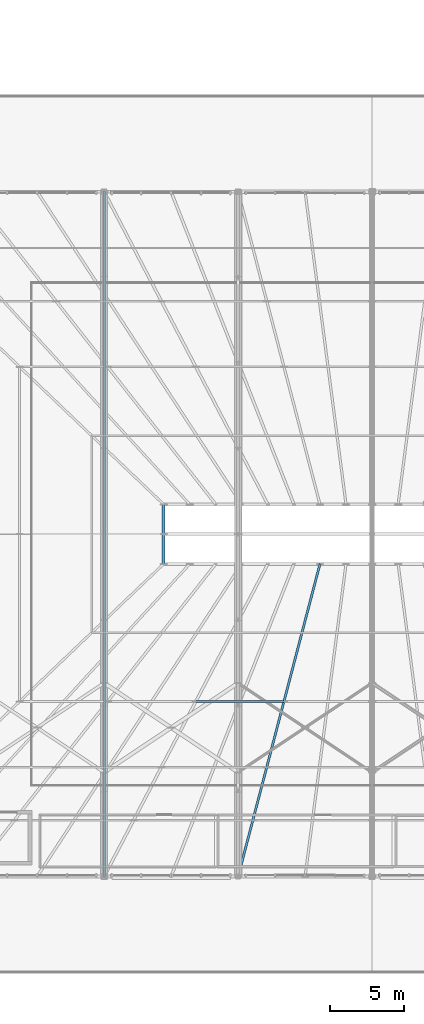
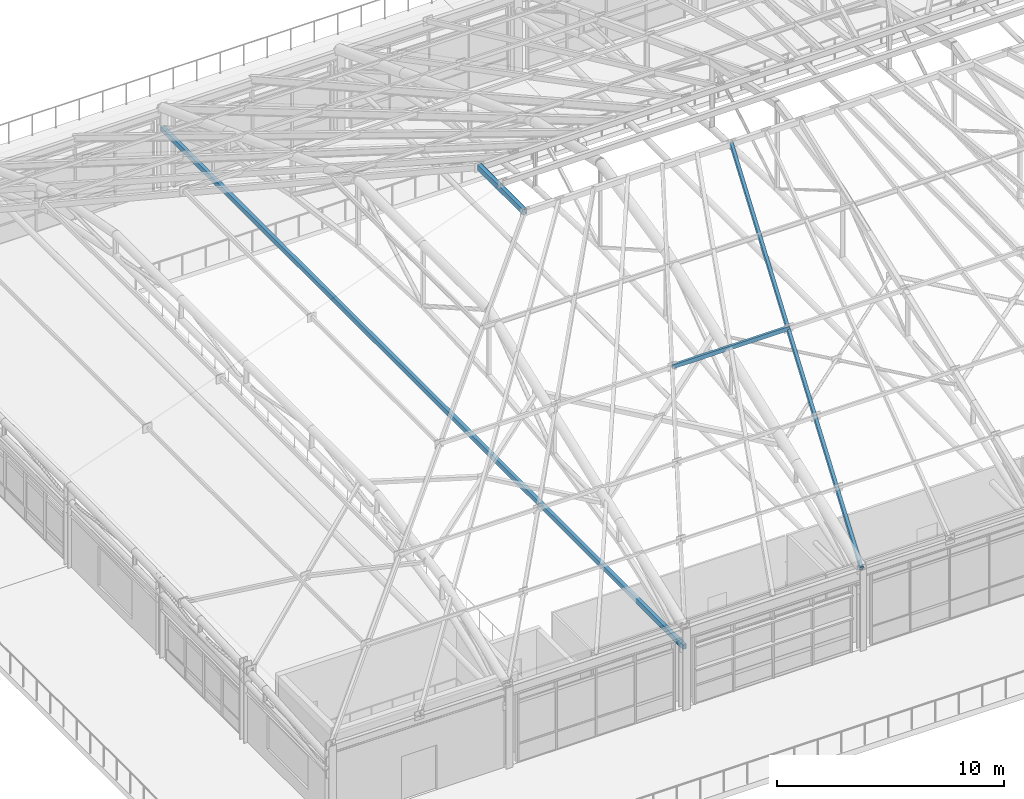
# One storey, part 27 of 168: 3 members, 1 beam.
"""IFC4 building model written with IfcOpenShell, lengths in metres."""

import ifcopenshell
import ifcopenshell.guid

model = None  # the IFC model being written
_history = None  # IfcOwnerHistory: only IFC2X3 demands one
_inside = {}  # id of a spatial element -> (the spatial element, [elements in it])
_under = {}  # id of a project, library or spatial element -> (it, [spatial elements below it])
_declared = {}  # id of a project -> (the project, [libraries it declares])
_typed = {}  # id of a type object -> (the type object, [elements of that type])
_made_of = {}  # id of a material, layer set ... -> (it, [elements and type objects made of it])


def new_model(schema):
    """Start an empty IFC model of exactly this schema.

    Asked for "IFC4X3", IfcOpenShell would pick the latest addendum, in which some entities
    have other attributes; the version numbers below select the first issue.
    IFC2X3 requires an IfcOwnerHistory on every rooted entity: one is made here for all.
    """
    global model, _history
    if schema == "IFC4X3":
        model = ifcopenshell.file(schema_version=(4, 3, 0, 0))
    else:
        model = ifcopenshell.file(schema=schema)
    _inside.clear()
    _under.clear()
    _declared.clear()
    _typed.clear()
    _made_of.clear()
    _history = None
    if model.schema == "IFC2X3":
        org = make("IfcOrganization", Name="unknown")
        user = make(
            "IfcPersonAndOrganization",
            ThePerson=make("IfcPerson", FamilyName="unknown"),
            TheOrganization=org,
        )
        app = make(
            "IfcApplication",
            ApplicationDeveloper=org,
            Version="unknown",
            ApplicationFullName="unknown",
            ApplicationIdentifier="unknown",
        )
        _history = make(
            "IfcOwnerHistory",
            OwningUser=user,
            OwningApplication=app,
            ChangeAction="ADDED",
            CreationDate=0,
        )
    return model


def make(cls, **values):
    """One entity of the class cls with the attributes given. An attribute that is None is left unset."""
    return model.create_entity(
        cls, **{name: value for name, value in values.items() if value is not None}
    )


def rooted(cls, **values):
    """An entity with a GlobalId (a new one), such as an element, a storey or a relation."""
    return make(cls, GlobalId=ifcopenshell.guid.new(), OwnerHistory=_history, **values)


def si_unit(unit_type, name, prefix=None):
    """IfcSIUnit, for example si_unit("LENGTHUNIT", "METRE", prefix="MILLI")."""
    return make("IfcSIUnit", UnitType=unit_type, Prefix=prefix, Name=name)


def assignment(units):
    """IfcUnitAssignment: the units of a project."""
    return None if units is None else make("IfcUnitAssignment", Units=units)


def point(xyz):
    """IfcCartesianPoint."""
    return None if xyz is None else make("IfcCartesianPoint", Coordinates=xyz)


def direction(xyz):
    """IfcDirection."""
    return None if xyz is None else make("IfcDirection", DirectionRatios=xyz)


def frame(location, z_axis=None, x_axis=None):
    """IfcAxis2Placement3D, a coordinate frame: its origin and axes. An axis left out is left unset."""
    return make(
        "IfcAxis2Placement3D",
        Location=point(location),
        Axis=direction(z_axis),
        RefDirection=direction(x_axis),
    )


def frame_2d(location, x_axis=None):
    """IfcAxis2Placement2D, a coordinate frame in the plane: its origin and x axis."""
    return make(
        "IfcAxis2Placement2D", Location=point(location), RefDirection=direction(x_axis)
    )


def origin():
    """The frame at (0, 0, 0) with its axes left unset."""
    return frame((0.0, 0.0, 0.0))


def origin_2d():
    """The frame at (0, 0) in the plane with its x axis left unset."""
    return frame_2d((0.0, 0.0))


def place(relative_to, where):
    """IfcLocalPlacement: puts the frame where relative to a parent placement (None: the world)."""
    return make(
        "IfcLocalPlacement", PlacementRelTo=relative_to, RelativePlacement=where
    )


def context(
    kind, dimensions, precision=None, world=None, true_north=None, identifier=None
):
    """IfcGeometricRepresentationContext, for example the 3D "Model" context."""
    return make(
        "IfcGeometricRepresentationContext",
        ContextIdentifier=identifier,
        ContextType=kind,
        CoordinateSpaceDimension=dimensions,
        Precision=precision,
        WorldCoordinateSystem=world,
        TrueNorth=true_north,
    )


def subcontext(parent, identifier, kind, view, scale=None):
    """IfcGeometricRepresentationSubContext, for example "Body" below "Model"."""
    return make(
        "IfcGeometricRepresentationSubContext",
        ContextIdentifier=identifier,
        ContextType=kind,
        ParentContext=parent,
        TargetScale=scale,
        TargetView=view,
    )


def project(units=None, contexts=None):
    """IfcProject with its units and contexts."""
    return rooted(
        "IfcProject",
        Name="project",
        RepresentationContexts=contexts,
        UnitsInContext=assignment(units),
    )


def spatial(cls, under=None, at=None, **own):
    """A site, building, storey or space (cls), placed at a placement, below another one or the project."""
    s = rooted(cls, ObjectPlacement=at, **own)
    if under is not None:
        _under.setdefault(under.id(), (under, []))[1].append(s)
    return s


def profile(cls, at=None, kind="AREA", **sizes):
    """A parametric profile (cls). Its sizes go by their IFC names, for example OverallWidth=200.0."""
    return make(cls, ProfileType=kind, Position=at, **sizes)


def hollow_rectangle(**sizes):
    """IfcRectangleHollowProfileDef."""
    return profile("IfcRectangleHollowProfileDef", **sizes)


def extrude(swept, where, along, depth):
    """IfcExtrudedAreaSolid: the profile swept, set in the frame where, extruded along a direction by depth."""
    return make(
        "IfcExtrudedAreaSolid",
        SweptArea=swept,
        Position=where,
        ExtrudedDirection=direction(along),
        Depth=depth,
    )


def shape(context_of_items, identifier, shape_type, items):
    """IfcShapeRepresentation: the items that make up one representation, for example the "Body"."""
    return make(
        "IfcShapeRepresentation",
        ContextOfItems=context_of_items,
        RepresentationIdentifier=identifier,
        RepresentationType=shape_type,
        Items=items,
    )


def material(Name=None, Category=None):
    """IfcMaterial."""
    return make("IfcMaterial", Name=Name, Category=Category)


def material_profile(
    of_material, cross_section, Name=None, Category=None, Priority=None
):
    """IfcMaterialProfile: a cross section and its material."""
    return make(
        "IfcMaterialProfile",
        Name=Name,
        Material=of_material,
        Profile=cross_section,
        Priority=Priority,
        Category=Category,
    )


def profile_set(profiles, Name=None, composite=None):
    """IfcMaterialProfileSet."""
    return make(
        "IfcMaterialProfileSet",
        Name=Name,
        MaterialProfiles=profiles,
        CompositeProfile=composite,
    )


def made_of(thing, what):
    """Note that an element or type object is made of a material, layer set ...; save() writes the relation."""
    if what is not None:
        _made_of.setdefault(what.id(), (what, []))[1].append(thing)
    return thing


def type_object(cls, material=None, **own):
    """A type object (cls), such as IfcWallType, which elements share."""
    return made_of(rooted(cls, **own), material)


def element(
    cls,
    number,
    at=None,
    inside=None,
    cuts=None,
    type_object=None,
    material=None,
    context=None,
    identifier="Body",
    shape_type=None,
    held_by="IfcProductDefinitionShape",
    body=None,
    shapes=None,
    **own,
):
    """One element of the class cls, such as IfcWall. Its Tag is "e" and its number.

    at: its placement. inside: the storey or other place that contains it. cuts: it is an
    opening in that element (IfcRelVoidsElement). A single representation is given by context,
    identifier, shape_type and body (its items); several are given by shapes. held_by: the class
    of the entity that holds the representations. save() writes the other relations.
    """
    e = rooted(cls, Tag="e%d" % number, ObjectPlacement=at, **own)
    if body is not None:
        shapes = [shape(context, identifier, shape_type, body)]
    if shapes is not None:
        e.Representation = make(held_by, Representations=shapes)
    if inside is not None:
        _inside.setdefault(inside.id(), (inside, []))[1].append(e)
    if cuts is not None:
        rooted(
            "IfcRelVoidsElement", RelatingBuildingElement=cuts, RelatedOpeningElement=e
        )
    if type_object is not None:
        _typed.setdefault(type_object.id(), (type_object, []))[1].append(e)
    return made_of(e, material)


def aggregate(whole, parts):
    """IfcRelAggregates: a whole, such as a stair, and the parts it consists of."""
    return rooted("IfcRelAggregates", RelatingObject=whole, RelatedObjects=parts)


def save(model, path):
    """Write the relations noted so far, then the file.

    IfcRelAggregates (storeys below a building ...), IfcRelContainedInSpatialStructure (elements
    in a storey), IfcRelDefinesByType, IfcRelAssociatesMaterial and IfcRelDeclares: one each for
    every whole, place, type object, material and project.
    """
    for whole, parts in _under.values():
        aggregate(whole, parts)
    for where, things in _inside.values():
        rooted(
            "IfcRelContainedInSpatialStructure",
            RelatedElements=things,
            RelatingStructure=where,
        )
    for kind, things in _typed.values():
        rooted("IfcRelDefinesByType", RelatedObjects=things, RelatingType=kind)
    for what, things in _made_of.values():
        rooted("IfcRelAssociatesMaterial", RelatedObjects=things, RelatingMaterial=what)
    for by, libraries in _declared.values():
        rooted("IfcRelDeclares", RelatingContext=by, RelatedDefinitions=libraries)
    model.write(path)


model = new_model("IFC4")

# Units and contexts
model_context = context("Model", 3, precision=1e-05, world=origin(), true_north=direction((0.0, 1.0)))
body_context = subcontext(model_context, "Body", "Model", "MODEL_VIEW")
ifc_project = project(units=[si_unit("LENGTHUNIT", "METRE"), si_unit("AREAUNIT", "SQUARE_METRE"), si_unit("VOLUMEUNIT", "CUBIC_METRE"), si_unit("PLANEANGLEUNIT", "RADIAN"), si_unit("MASSUNIT", "GRAM", prefix="KILO"), si_unit("THERMODYNAMICTEMPERATUREUNIT", "KELVIN"), si_unit("POWERUNIT", "WATT")], contexts=[model_context])

# Site, building, storey
site_placement = place(None, origin())
site = spatial("IfcSite", under=ifc_project, at=site_placement, CompositionType="ELEMENT")
building_placement = place(site_placement, origin())
building = spatial("IfcBuilding", under=site, at=building_placement, Name="Tepalcoro Natatorium and Aquatics Centre", CompositionType="ELEMENT")
storey_placement = place(building_placement, frame((0.0, 0.0, 10.199951171875)))
storey = spatial("IfcBuildingStorey", under=building, at=storey_placement, Name="L02", CompositionType="ELEMENT", Elevation=10.199951171875)

# Beam
ifc_material_1 = material(Name="Terracotta Painted Hollow Steel ASTM A500 Grade C (Fy 345 MPa)", Category="masonry")
ifc_material_profile_1 = material_profile(ifc_material_1, hollow_rectangle(XDim=0.199951171875, YDim=0.300048828125, WallThickness=0.013916015625, at=origin_2d()), Name="HSS300X200X14")
ifc_profile_set_1 = profile_set([ifc_material_profile_1], Name="Terracotta Painted Hollow Steel ASTM A500 Grade C (Fy 345 MPa)")
beam_type = type_object("IfcBeamType", Name="AC_HSS300x200x14", PredefinedType="USERDEFINED", material=ifc_profile_set_1)
beam_placement = place(storey_placement, frame((75.0, 34.0, 12.525146484375), z_axis=(0.0, 1.0, 0.0), x_axis=(-1.0, 0.0, 0.0)))
element("IfcBeam", 1, at=beam_placement, inside=storey, type_object=beam_type, Name="Pyramid Lantern Ring Chord W", ObjectType="ARCH CHORD", PredefinedType="USERDEFINED", context=body_context, shape_type="SweptSolid", body=[
    extrude(hollow_rectangle(XDim=0.199951171875, YDim=0.300048828125, WallThickness=0.013916015625, at=origin_2d()), origin(), (0.0, 0.0, 1.0), 4.0),
])

# Members
ifc_material_profile_2 = material_profile(ifc_material_1, hollow_rectangle(XDim=0.179931640625, YDim=0.260009765625, WallThickness=0.013916015625, at=origin_2d()), Name="HSS260X180X14")
ifc_profile_set_2 = profile_set([ifc_material_profile_2], Name="Terracotta Painted Hollow Steel ASTM A500 Grade C (Fy 345 MPa)")
member_type_1 = type_object("IfcMemberType", Name="MB_AT_HSS260x180x14", PredefinedType="USERDEFINED", material=ifc_profile_set_2)
member_1_placement = place(storey_placement, frame((71.0, 13.0, 3.271484375), z_axis=(0.0, 1.0, 0.0), x_axis=(-1.0, 0.0, 0.0)))
element("IfcMember", 2, at=member_1_placement, inside=storey, type_object=member_type_1, Name="V1 Tied-Arch Tension Tie 3", ObjectType="ARCH TIE", PredefinedType="USERDEFINED", context=body_context, shape_type="SweptSolid", body=[
    extrude(hollow_rectangle(XDim=0.179931640625, YDim=0.260009765625, WallThickness=0.013916015625, at=origin_2d()), origin(), (0.0, 0.0, 1.0), 46.0),
])
ifc_material_2 = material(Name="Hollow Steel ASTM A500 Grade C (Fy 345 MPa)", Category="steel")
ifc_material_profile_3 = material_profile(ifc_material_2, hollow_rectangle(XDim=0.1201171875, YDim=0.219970703125, WallThickness=0.010009765625, at=origin_2d()), Name="HSS220X120X10")
ifc_profile_set_3 = profile_set([ifc_material_profile_3], Name="Hollow Steel ASTM A500 Grade C (Fy 345 MPa)")
member_type_2 = type_object("IfcMemberType", Name="MB_PR_HSS220x120x10", PredefinedType="PURLIN", material=ifc_profile_set_3)
member_2_placement = place(storey_placement, frame((77.159912109375, 24.760009765625, 9.05419921875), z_axis=(1.0, 0.0, 0.0), x_axis=(0.0, 1.0, 0.0)))
element("IfcMember", 3, at=member_2_placement, inside=storey, type_object=member_type_2, Name="Pyramid Horizontal Purlin South", PredefinedType="PURLIN", context=body_context, shape_type="SweptSolid", body=[
    extrude(hollow_rectangle(XDim=0.1201171875, YDim=0.219970703125, WallThickness=0.010009765625, at=origin_2d()), origin(), (0.0, 0.0, 1.0), 5.920166015625),
])
ifc_material_profile_4 = material_profile(ifc_material_1, hollow_rectangle(XDim=0.14990234375, YDim=0.25, WallThickness=0.010009765625, at=origin_2d()), Name="HSS250X150X10")
ifc_profile_set_4 = profile_set([ifc_material_profile_4], Name="Terracotta Painted Hollow Steel ASTM A500 Grade C (Fy 345 MPa)")
member_type_3 = type_object("IfcMemberType", Name="MB_RF_HSS250x150x10", PredefinedType="RAFTER", material=ifc_profile_set_4)
member_3_placement = place(storey_placement, frame((80.0, 13.0, 4.320068359375), z_axis=(0.23699559669, 0.904892278272, 0.353557706568), x_axis=(-0.96737222338, 0.253359391838, 0.0)))
element("IfcMember", 4, at=member_3_placement, inside=storey, type_object=member_type_3, Name="Pyramid Skylight Rafter South", PredefinedType="RAFTER", context=body_context, shape_type="SweptSolid", body=[
    extrude(hollow_rectangle(XDim=0.14990234375, YDim=0.25, WallThickness=0.010009765625, at=origin_2d()), origin(), (0.0, 0.0, 1.0), 23.207275390625),
])

save(model, "model.ifc")
